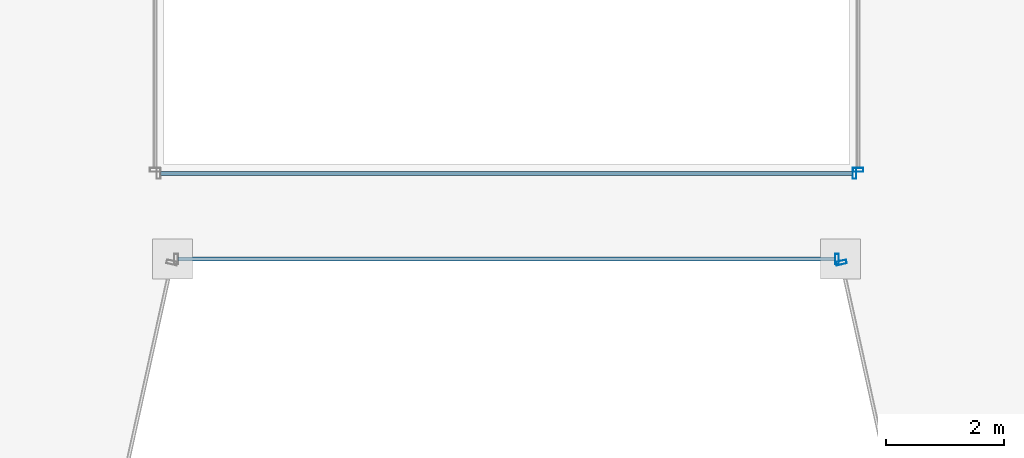
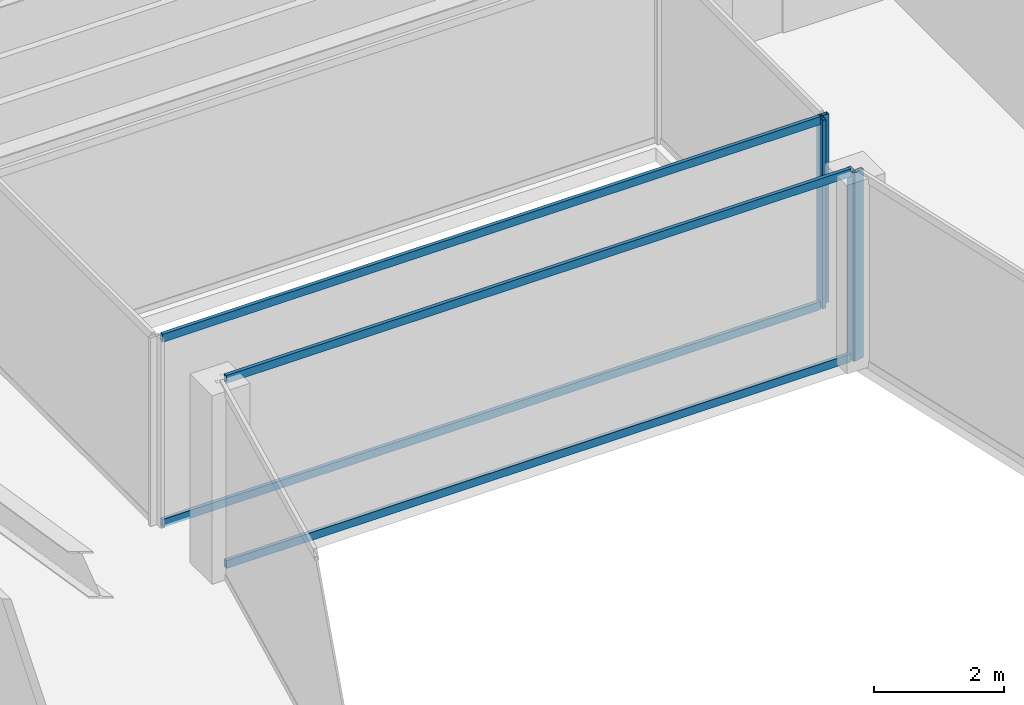
# One storey, part 6 of 32: 8 members, 4 elements without a shape of their own.
"""IFC4 building model written with IfcOpenShell, lengths in metres."""

from ifc_helpers import new_model, si_unit, direction, frame, origin, origin_2d, place, context, subcontext, project, spatial, hollow_rectangle, extrude, material, material_profile, profile_set, type_object, element, aggregate, save


model = new_model("IFC4")

# Units and contexts
model_context = context("Model", 3, precision=1e-05, world=origin(), true_north=direction((0.0, 1.0)))
body_context = subcontext(model_context, "Body", "Model", "MODEL_VIEW")
ifc_project = project(units=[si_unit("LENGTHUNIT", "METRE"), si_unit("AREAUNIT", "SQUARE_METRE"), si_unit("VOLUMEUNIT", "CUBIC_METRE"), si_unit("PLANEANGLEUNIT", "RADIAN"), si_unit("MASSUNIT", "GRAM", prefix="KILO")], contexts=[model_context])

# Site, building, storey
site_placement = place(None, origin())
site = spatial("IfcSite", under=ifc_project, at=site_placement, CompositionType="ELEMENT")
building_placement = place(site_placement, origin())
building = spatial("IfcBuilding", under=site, at=building_placement, Name="Saevonmaru Cultural Tower", CompositionType="ELEMENT")
storey_placement = place(building_placement, frame((0.0, 0.0, 242.0)))
storey = spatial("IfcBuildingStorey", under=building, at=storey_placement, Name="L56", CompositionType="ELEMENT", Elevation=242.0)

# Curtain wall, member
ifc_material = material(Name="Satin Bronze Anodised Aluminium", Category="aluminium")
curtain_wall_type_1 = type_object("IfcCurtainWallType", Name="CW-TYP-B", PredefinedType="NOTDEFINED", material=ifc_material)
curtain_wall_1_placement = place(storey_placement, origin())
curtain_wall_1 = element("IfcCurtainWall", 1, at=curtain_wall_1_placement, inside=storey, type_object=curtain_wall_type_1, Name="L56 Unitised Curtain Wall E4", PredefinedType="NOTDEFINED")
ifc_material_profile_1 = material_profile(ifc_material, hollow_rectangle(XDim=0.06494140625, YDim=0.179931640625, WallThickness=0.00390625, at=origin_2d()), Name="ALU-MULL-180x65x4")
ifc_profile_set_1 = profile_set([ifc_material_profile_1], Name="Satin Bronze Anodised Aluminium")
member_type_1 = type_object("IfcMemberType", Name="ML-CW-180x65", PredefinedType="MULLION", material=ifc_profile_set_1)
member_1_placement = place(storey_placement, frame((35.59326171875, 31.199951171875, 0.0), z_axis=(0.0, 0.0, 1.0), x_axis=(1.0, 0.0, 0.0)))
member_1 = element("IfcMember", 2, at=member_1_placement, type_object=member_type_1, Name="CW-TW-L56-E4 mullion 2", PredefinedType="MULLION", context=body_context, shape_type="SweptSolid", body=[
    extrude(hollow_rectangle(XDim=0.06494140625, YDim=0.179931640625, WallThickness=0.00390625, at=origin_2d()), origin(), (0.0, 0.0, 1.0), 3.550048828125),
])

curtain_wall_2_placement = place(storey_placement, origin())
curtain_wall_2 = element("IfcCurtainWall", 3, at=curtain_wall_2_placement, inside=storey, type_object=curtain_wall_type_1, Name="L56 Unitised Curtain Wall E5", PredefinedType="NOTDEFINED")
member_2_placement = place(storey_placement, frame((35.666259765625, 31.141357421875, 0.0), z_axis=(0.0, 0.0, 1.0), x_axis=(0.215413319953, -0.976522965212, 0.0)))
member_2 = element("IfcMember", 4, at=member_2_placement, type_object=member_type_1, Name="CW-TW-L56-E5 mullion 1", PredefinedType="MULLION", context=body_context, shape_type="SweptSolid", body=[
    extrude(hollow_rectangle(XDim=0.06494140625, YDim=0.179931640625, WallThickness=0.00390625, at=origin_2d()), origin(), (0.0, 0.0, 1.0), 3.550048828125),
])
aggregate(curtain_wall_2, [member_2])

curtain_wall_type_2 = type_object("IfcCurtainWallType", Name="CW-ATR-GLZ", PredefinedType="NOTDEFINED", material=ifc_material)
curtain_wall_3_placement = place(storey_placement, origin())
curtain_wall_3 = element("IfcCurtainWall", 5, at=curtain_wall_3_placement, inside=storey, type_object=curtain_wall_type_2, Name="L56 Vertical Atrium Glazed Smoke Screen 1", PredefinedType="NOTDEFINED")
ifc_material_profile_2 = material_profile(ifc_material, hollow_rectangle(XDim=0.06494140625, YDim=0.179931640625, WallThickness=0.00390625, at=origin_2d()), Name="ALU-MULL-180x65x4")
ifc_profile_set_2 = profile_set([ifc_material_profile_2], Name="Satin Bronze Anodised Aluminium")
member_type_2 = type_object("IfcMemberType", Name="ML-CW-INT-180x65", PredefinedType="MULLION", material=ifc_profile_set_2)
member_3_placement = place(storey_placement, frame((35.889892578125, 32.64990234375, 0.0), z_axis=(0.0, 0.0, 1.0), x_axis=(1.0, 0.0, 0.0)))
member_3 = element("IfcMember", 6, at=member_3_placement, type_object=member_type_2, Name="CW-ATR-L56-1 mullion 2", PredefinedType="MULLION", context=body_context, shape_type="SweptSolid", body=[
    extrude(hollow_rectangle(XDim=0.06494140625, YDim=0.179931640625, WallThickness=0.00390625, at=origin_2d()), origin(), (0.0, 0.0, 1.0), 3.550048828125),
])

curtain_wall_4_placement = place(storey_placement, origin())
curtain_wall_4 = element("IfcCurtainWall", 7, at=curtain_wall_4_placement, inside=storey, type_object=curtain_wall_type_2, Name="L56 Vertical Atrium Glazed Smoke Screen 2", PredefinedType="NOTDEFINED")
member_4_placement = place(storey_placement, frame((35.949951171875, 32.7099609375, 0.0), z_axis=(0.0, 0.0, 1.0), x_axis=(0.0, 1.0, 0.0)))
member_4 = element("IfcMember", 8, at=member_4_placement, type_object=member_type_2, Name="CW-ATR-L56-2 mullion 1", PredefinedType="MULLION", context=body_context, shape_type="SweptSolid", body=[
    extrude(hollow_rectangle(XDim=0.06494140625, YDim=0.179931640625, WallThickness=0.00390625, at=origin_2d()), origin(), (0.0, 0.0, 1.0), 3.550048828125),
])
aggregate(curtain_wall_4, [member_4])

# Member
ifc_material_profile_3 = material_profile(ifc_material, hollow_rectangle(XDim=0.06494140625, YDim=0.14990234375, WallThickness=0.00390625, at=origin_2d()), Name="ALU-TRAN-150x65x4")
ifc_profile_set_3 = profile_set([ifc_material_profile_3], Name="Satin Bronze Anodised Aluminium")
member_type_3 = type_object("IfcMemberType", Name="TR-CW-150x65", PredefinedType="USERDEFINED", material=ifc_profile_set_3)
member_5_placement = place(storey_placement, frame((24.439208984375, 31.199951171875, 0.032470703125), z_axis=(1.0, 0.0, 0.0), x_axis=(0.0, 1.0, 0.0)))
member_5 = element("IfcMember", 9, at=member_5_placement, type_object=member_type_3, Name="CW-TW-L56-E4 transom 1.1", ObjectType="TRANSOM", PredefinedType="USERDEFINED", context=body_context, shape_type="SweptSolid", body=[
    extrude(hollow_rectangle(XDim=0.06494140625, YDim=0.14990234375, WallThickness=0.00390625, at=origin_2d()), origin(), (0.0, 0.0, 1.0), 11.12158203125),
])

member_6_placement = place(storey_placement, frame((24.439208984375, 31.199951171875, 3.517578125), z_axis=(1.0, 0.0, 0.0), x_axis=(0.0, 1.0, 0.0)))
member_6 = element("IfcMember", 10, at=member_6_placement, type_object=member_type_3, Name="CW-TW-L56-E4 transom 1.2", ObjectType="TRANSOM", PredefinedType="USERDEFINED", context=body_context, shape_type="SweptSolid", body=[
    extrude(hollow_rectangle(XDim=0.06494140625, YDim=0.14990234375, WallThickness=0.00390625, at=origin_2d()), origin(), (0.0, 0.0, 1.0), 11.12158203125),
])

aggregate(curtain_wall_1, [member_1, member_5, member_6])

ifc_material_profile_4 = material_profile(ifc_material, hollow_rectangle(XDim=0.06494140625, YDim=0.14990234375, WallThickness=0.00390625, at=origin_2d()), Name="ALU-TRAN-150x65x4")
ifc_profile_set_4 = profile_set([ifc_material_profile_4], Name="Satin Bronze Anodised Aluminium")
member_type_4 = type_object("IfcMemberType", Name="TR-CW-INT-150x65", PredefinedType="USERDEFINED", material=ifc_profile_set_4)
member_7_placement = place(storey_placement, frame((24.142578125, 32.64990234375, 0.032470703125), z_axis=(1.0, 0.0, 0.0), x_axis=(0.0, 1.0, 0.0)))
member_7 = element("IfcMember", 11, at=member_7_placement, type_object=member_type_4, Name="CW-ATR-L56-1 transom 1.1", ObjectType="TRANSOM", PredefinedType="USERDEFINED", context=body_context, shape_type="SweptSolid", body=[
    extrude(hollow_rectangle(XDim=0.06494140625, YDim=0.14990234375, WallThickness=0.00390625, at=origin_2d()), origin(), (0.0, 0.0, 1.0), 11.71484375),
])

member_8_placement = place(storey_placement, frame((24.142578125, 32.64990234375, 3.517578125), z_axis=(1.0, 0.0, 0.0), x_axis=(0.0, 1.0, 0.0)))
member_8 = element("IfcMember", 12, at=member_8_placement, type_object=member_type_4, Name="CW-ATR-L56-1 transom 1.2", ObjectType="TRANSOM", PredefinedType="USERDEFINED", context=body_context, shape_type="SweptSolid", body=[
    extrude(hollow_rectangle(XDim=0.06494140625, YDim=0.14990234375, WallThickness=0.00390625, at=origin_2d()), origin(), (0.0, 0.0, 1.0), 11.71484375),
])

aggregate(curtain_wall_3, [member_3, member_7, member_8])

save(model, "model.ifc")
